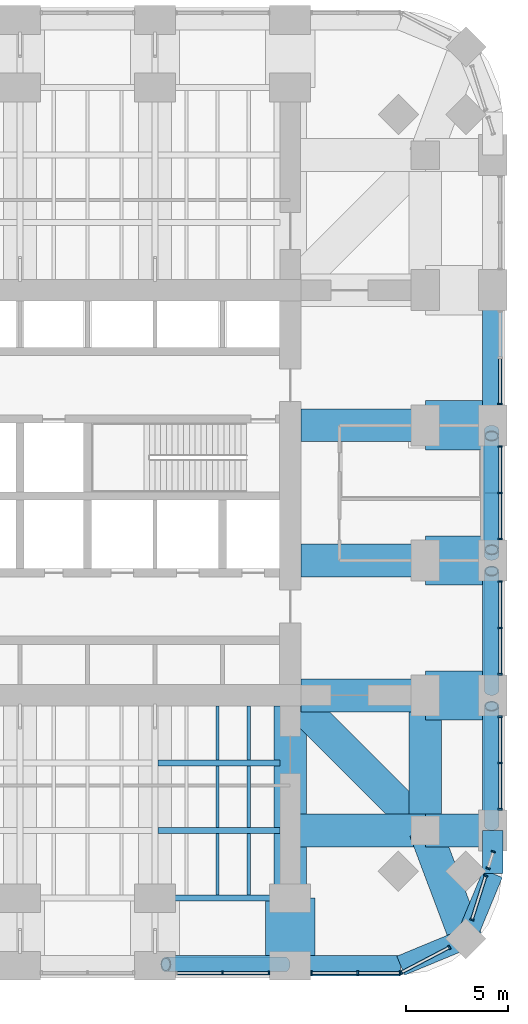
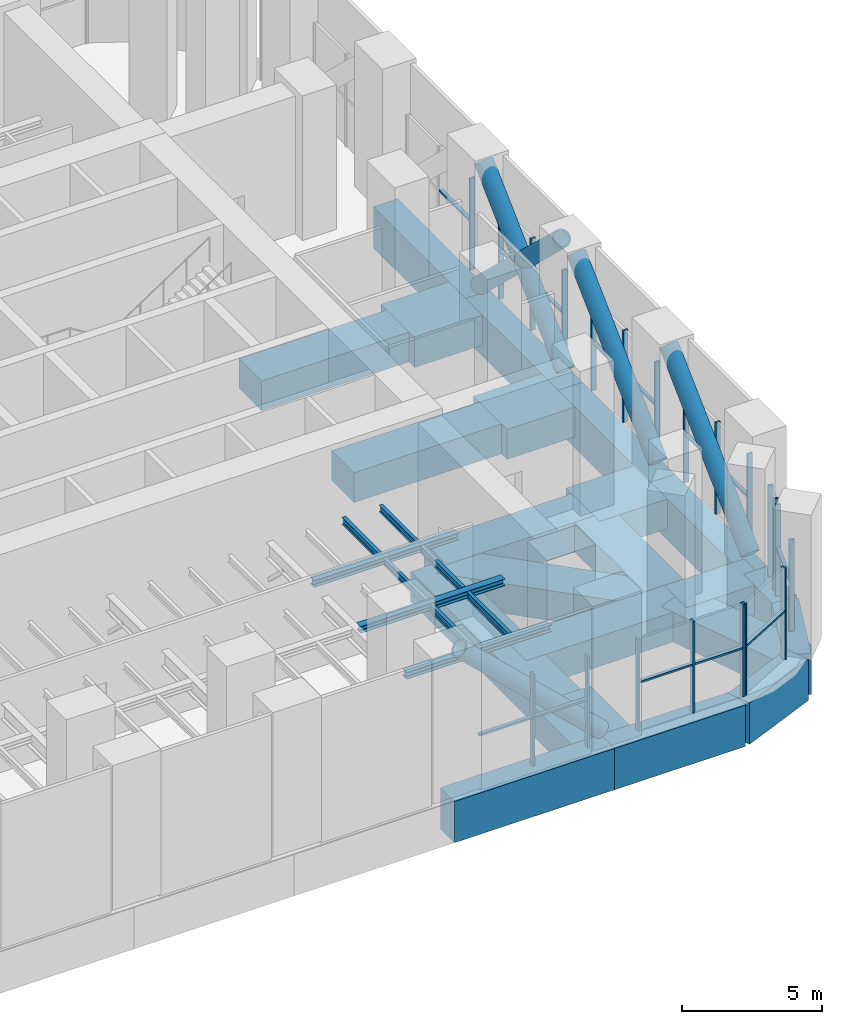
# One storey, part 5 of 16: 39 members, 31 beams, 9 elements without a shape of their own.
"""IFC4 building model written with IfcOpenShell, lengths in metres."""

from ifc_helpers import new_model, si_unit, direction, frame, origin, origin_2d, place, context, subcontext, project, spatial, rectangle, hollow_circle, i_section, extrude, material, material_profile, profile_set, type_object, element, aggregate, save


model = new_model("IFC4")

# Units and contexts
model_context = context("Model", 3, precision=1e-05, world=origin(), true_north=direction((0.0, 1.0)))
body_context = subcontext(model_context, "Body", "Model", "MODEL_VIEW")
ifc_project = project(units=[si_unit("LENGTHUNIT", "METRE"), si_unit("AREAUNIT", "SQUARE_METRE"), si_unit("VOLUMEUNIT", "CUBIC_METRE"), si_unit("PLANEANGLEUNIT", "RADIAN"), si_unit("MASSUNIT", "GRAM", prefix="KILO")], contexts=[model_context])

# Site, building, storey
site_placement = place(None, origin())
site = spatial("IfcSite", under=ifc_project, at=site_placement, CompositionType="ELEMENT")
building_placement = place(site_placement, origin())
building = spatial("IfcBuilding", under=site, at=building_placement, Name="Cobogo Forest Laboratory Tower", CompositionType="ELEMENT")
storey_placement = place(building_placement, frame((0.0, 0.0, 149.39990234375)))
storey = spatial("IfcBuildingStorey", under=building, at=storey_placement, Name="L34", CompositionType="ELEMENT", Elevation=149.39990234375)

# Members
ifc_material_1 = material(Name="Steel S460NH", Category="steel")
ifc_material_profile_1 = material_profile(ifc_material_1, hollow_circle(Radius=0.35546875, WallThickness=0.06005859375, at=origin_2d()), Name="CHS 711x60")
ifc_profile_set_1 = profile_set([ifc_material_profile_1], Name="Steel S460NH")
member_type_1 = type_object("IfcMemberType", Name="Belt truss diagonal CHS 711x60", PredefinedType="BRACE", material=ifc_profile_set_1)
for number, where, z_axis, x_axis, name in (
    (1, (39.35009765625, 0.06005859375, 0.23876953125), (-0.723363796511, 0.0, 0.690467101242), (0.0, -1.0, 0.0), "BT1 belt truss diagonal S04 L34"),
    (2, (49.43994140625, 6.85009765625, 0.23876953125), (0.0, 0.723349354665, 0.69048223084), (-1.0, 0.0, 0.0), "BT1 belt truss diagonal E05 L34"),
    (3, (49.43994140625, 13.449951171875, 0.23876953125), (0.0, 0.723363796511, 0.690467101242), (-1.0, 0.0, 0.0), "BT1 belt truss diagonal E06 L34"),
    (4, (49.43994140625, 20.050048828125, 0.23876953125), (0.0, 0.723349354665, 0.69048223084), (-1.0, 0.0, 0.0), "BT1 belt truss diagonal E07 L34"),
    (5, (49.43994140625, 26.14990234375, 0.23876953125), (0.0, -0.723349354665, 0.69048223084), (1.0, 0.0, 0.0), "BT1 belt truss diagonal E08 L34"),
):
    element("IfcMember", number, at=place(storey_placement, frame(where, z_axis=z_axis, x_axis=x_axis)), inside=storey, type_object=member_type_1, Name=name, PredefinedType="BRACE", context=body_context, shape_type="SweptSolid", body=[
        extrude(hollow_circle(Radius=0.35546875, WallThickness=0.06005859375, at=origin_2d()), origin(), (0.0, 0.0, 1.0), 8.0595703125),
    ])

# Curtain wall, members
ifc_material_2 = material(Name="Aluminium curtain wall", Category="aluminium")
curtain_wall_type = type_object("IfcCurtainWallType", Name="CW-P louvred curtain wall, plant floors", PredefinedType="USERDEFINED", material=ifc_material_2)
curtain_wall_1_placement = place(storey_placement, origin())
curtain_wall_1 = element("IfcCurtainWall", 6, at=curtain_wall_1_placement, inside=storey, type_object=curtain_wall_type, Name="Curtain wall 05 L34", ObjectType="LOUVRED CURTAIN WALL", PredefinedType="USERDEFINED")
ifc_material_3 = material(Name="Aluminium mullion", Category="aluminium")
ifc_material_profile_2 = material_profile(ifc_material_3, rectangle(XDim=0.080078125, YDim=0.199951171875, at=origin_2d()), Name="AL 80x200")
ifc_profile_set_2 = profile_set([ifc_material_profile_2], Name="Aluminium mullion")
member_type_2 = type_object("IfcMemberType", Name="MU-3 aluminium louvre mullion 80x200", PredefinedType="MULLION", material=ifc_profile_set_2)
member_1_placement = place(storey_placement, frame((36.300048828125, -0.35009765625, 0.0), z_axis=(0.0, 0.0, 1.0), x_axis=(1.0, 0.0, 0.0)))
member_1 = element("IfcMember", 7, at=member_1_placement, type_object=member_type_2, Name="CW-P mullion 2", PredefinedType="MULLION", context=body_context, shape_type="SweptSolid", body=[
    extrude(rectangle(XDim=0.080078125, YDim=0.199951171875, at=origin_2d()), origin(), (0.0, 0.0, 1.0), 4.0),
])
member_2_placement = place(storey_placement, frame((38.56005859375, -0.35009765625, 0.0), z_axis=(0.0, 0.0, 1.0), x_axis=(1.0, 0.0, 0.0)))
member_2 = element("IfcMember", 8, at=member_2_placement, type_object=member_type_2, Name="CW-P mullion 3", PredefinedType="MULLION", context=body_context, shape_type="SweptSolid", body=[
    extrude(rectangle(XDim=0.080078125, YDim=0.199951171875, at=origin_2d()), origin(), (0.0, 0.0, 1.0), 4.0),
])

curtain_wall_2_placement = place(storey_placement, origin())
curtain_wall_2 = element("IfcCurtainWall", 9, at=curtain_wall_2_placement, inside=storey, type_object=curtain_wall_type, Name="Curtain wall 06 L34", ObjectType="LOUVRED CURTAIN WALL", PredefinedType="USERDEFINED")
member_3_placement = place(storey_placement, frame((40.639892578125, -0.35009765625, 0.0), z_axis=(0.0, 0.0, 1.0), x_axis=(1.0, 0.0, 0.0)))
member_3 = element("IfcMember", 10, at=member_3_placement, type_object=member_type_2, Name="CW-P mullion 1", PredefinedType="MULLION", context=body_context, shape_type="SweptSolid", body=[
    extrude(rectangle(XDim=0.080078125, YDim=0.199951171875, at=origin_2d()), origin(), (0.0, 0.0, 1.0), 4.0),
])
member_4_placement = place(storey_placement, frame((42.89990234375, -0.35009765625, 0.0), z_axis=(0.0, 0.0, 1.0), x_axis=(1.0, 0.0, 0.0)))
member_4 = element("IfcMember", 11, at=member_4_placement, type_object=member_type_2, Name="CW-P mullion 2", PredefinedType="MULLION", context=body_context, shape_type="SweptSolid", body=[
    extrude(rectangle(XDim=0.080078125, YDim=0.199951171875, at=origin_2d()), origin(), (0.0, 0.0, 1.0), 4.0),
])
member_5_placement = place(storey_placement, frame((44.9599609375, -0.35009765625, 0.0), z_axis=(0.0, 0.0, 1.0), x_axis=(1.0, 0.0, 0.0)))
member_5 = element("IfcMember", 12, at=member_5_placement, type_object=member_type_2, Name="CW-P mullion 3", PredefinedType="MULLION", context=body_context, shape_type="SweptSolid", body=[
    extrude(rectangle(XDim=0.080078125, YDim=0.199951171875, at=origin_2d()), origin(), (0.0, 0.0, 1.0), 4.0),
])

curtain_wall_3_placement = place(storey_placement, origin())
curtain_wall_3 = element("IfcCurtainWall", 13, at=curtain_wall_3_placement, inside=storey, type_object=curtain_wall_type, Name="Curtain wall 07 L34", ObjectType="LOUVRED CURTAIN WALL", PredefinedType="USERDEFINED")
member_6_placement = place(storey_placement, frame((45.035400390625, -0.33154296875, 0.0), z_axis=(0.0, 0.0, 1.0), x_axis=(0.885686540666, 0.464283697413, 0.0)))
member_6 = element("IfcMember", 14, at=member_6_placement, type_object=member_type_2, Name="CW-P mullion 1", PredefinedType="MULLION", context=body_context, shape_type="SweptSolid", body=[
    extrude(rectangle(XDim=0.080078125, YDim=0.199951171875, at=origin_2d()), origin(), (0.0, 0.0, 1.0), 4.0),
])
member_7_placement = place(storey_placement, frame((47.37646484375, 0.895751953125, 0.0), z_axis=(0.0, 0.0, 1.0), x_axis=(0.885686540666, 0.464283697413, 0.0)))
member_7 = element("IfcMember", 15, at=member_7_placement, type_object=member_type_2, Name="CW-P mullion 2", PredefinedType="MULLION", context=body_context, shape_type="SweptSolid", body=[
    extrude(rectangle(XDim=0.080078125, YDim=0.199951171875, at=origin_2d()), origin(), (0.0, 0.0, 1.0), 4.0),
])

curtain_wall_4_placement = place(storey_placement, origin())
curtain_wall_4 = element("IfcCurtainWall", 16, at=curtain_wall_4_placement, inside=storey, type_object=curtain_wall_type, Name="Curtain wall 08 L34", ObjectType="LOUVRED CURTAIN WALL", PredefinedType="USERDEFINED")
member_8_placement = place(storey_placement, frame((48.475830078125, 2.248291015625, 0.0), z_axis=(0.0, 0.0, 1.0), x_axis=(0.301135343623, 0.953581409645, 0.0)))
member_8 = element("IfcMember", 17, at=member_8_placement, type_object=member_type_2, Name="CW-P mullion 1", PredefinedType="MULLION", context=body_context, shape_type="SweptSolid", body=[
    extrude(rectangle(XDim=0.080078125, YDim=0.199951171875, at=origin_2d()), origin(), (0.0, 0.0, 1.0), 4.0),
])
member_9_placement = place(storey_placement, frame((49.1513671875, 4.387451171875, 0.0), z_axis=(0.0, 0.0, 1.0), x_axis=(0.301135343623, 0.953581409645, 0.0)))
member_9 = element("IfcMember", 18, at=member_9_placement, type_object=member_type_2, Name="CW-P mullion 2", PredefinedType="MULLION", context=body_context, shape_type="SweptSolid", body=[
    extrude(rectangle(XDim=0.080078125, YDim=0.199951171875, at=origin_2d()), origin(), (0.0, 0.0, 1.0), 4.0),
])

curtain_wall_5_placement = place(storey_placement, origin())
curtain_wall_5 = element("IfcCurtainWall", 19, at=curtain_wall_5_placement, inside=storey, type_object=curtain_wall_type, Name="Curtain wall 09 L34", ObjectType="LOUVRED CURTAIN WALL", PredefinedType="USERDEFINED")
member_10_placement = place(storey_placement, frame((49.267822265625, 4.75634765625, 0.0), z_axis=(0.0, 0.0, 1.0), x_axis=(0.301135352577, 0.953581406818, 0.0)))
member_10 = element("IfcMember", 20, at=member_10_placement, type_object=member_type_2, Name="CW-P mullion 1", PredefinedType="MULLION", context=body_context, shape_type="SweptSolid", body=[
    extrude(rectangle(XDim=0.080078125, YDim=0.199951171875, at=origin_2d()), origin(), (0.0, 0.0, 1.0), 4.0),
])
member_11_placement = place(storey_placement, frame((49.522216796875, 5.561767578125, 0.0), z_axis=(0.0, 0.0, 1.0), x_axis=(0.301135352577, 0.953581406818, 0.0)))
member_11 = element("IfcMember", 21, at=member_11_placement, type_object=member_type_2, Name="CW-P mullion 2", PredefinedType="MULLION", context=body_context, shape_type="SweptSolid", body=[
    extrude(rectangle(XDim=0.080078125, YDim=0.199951171875, at=origin_2d()), origin(), (0.0, 0.0, 1.0), 4.0),
])
aggregate(curtain_wall_5, [member_10, member_11])

curtain_wall_6_placement = place(storey_placement, origin())
curtain_wall_6 = element("IfcCurtainWall", 22, at=curtain_wall_6_placement, inside=storey, type_object=curtain_wall_type, Name="Curtain wall 10 L34", ObjectType="LOUVRED CURTAIN WALL", PredefinedType="USERDEFINED")
member_12_placement = place(storey_placement, frame((49.85009765625, 7.639892578125, 0.0), z_axis=(0.0, 0.0, 1.0), x_axis=(0.0, 1.0, 0.0)))
member_12 = element("IfcMember", 23, at=member_12_placement, type_object=member_type_2, Name="CW-P mullion 1", PredefinedType="MULLION", context=body_context, shape_type="SweptSolid", body=[
    extrude(rectangle(XDim=0.080078125, YDim=0.199951171875, at=origin_2d()), origin(), (0.0, 0.0, 1.0), 4.0),
])
member_13_placement = place(storey_placement, frame((49.85009765625, 9.89990234375, 0.0), z_axis=(0.0, 0.0, 1.0), x_axis=(0.0, 1.0, 0.0)))
member_13 = element("IfcMember", 24, at=member_13_placement, type_object=member_type_2, Name="CW-P mullion 2", PredefinedType="MULLION", context=body_context, shape_type="SweptSolid", body=[
    extrude(rectangle(XDim=0.080078125, YDim=0.199951171875, at=origin_2d()), origin(), (0.0, 0.0, 1.0), 4.0),
])
member_14_placement = place(storey_placement, frame((49.85009765625, 12.159912109375, 0.0), z_axis=(0.0, 0.0, 1.0), x_axis=(0.0, 1.0, 0.0)))
member_14 = element("IfcMember", 25, at=member_14_placement, type_object=member_type_2, Name="CW-P mullion 3", PredefinedType="MULLION", context=body_context, shape_type="SweptSolid", body=[
    extrude(rectangle(XDim=0.080078125, YDim=0.199951171875, at=origin_2d()), origin(), (0.0, 0.0, 1.0), 4.0),
])

curtain_wall_7_placement = place(storey_placement, origin())
curtain_wall_7 = element("IfcCurtainWall", 26, at=curtain_wall_7_placement, inside=storey, type_object=curtain_wall_type, Name="Curtain wall 11 L34", ObjectType="LOUVRED CURTAIN WALL", PredefinedType="USERDEFINED")
member_15_placement = place(storey_placement, frame((49.85009765625, 14.239990234375, 0.0), z_axis=(0.0, 0.0, 1.0), x_axis=(0.0, 1.0, 0.0)))
member_15 = element("IfcMember", 27, at=member_15_placement, type_object=member_type_2, Name="CW-P mullion 1", PredefinedType="MULLION", context=body_context, shape_type="SweptSolid", body=[
    extrude(rectangle(XDim=0.080078125, YDim=0.199951171875, at=origin_2d()), origin(), (0.0, 0.0, 1.0), 4.0),
])
member_16_placement = place(storey_placement, frame((49.85009765625, 16.5, 0.0), z_axis=(0.0, 0.0, 1.0), x_axis=(0.0, 1.0, 0.0)))
member_16 = element("IfcMember", 28, at=member_16_placement, type_object=member_type_2, Name="CW-P mullion 2", PredefinedType="MULLION", context=body_context, shape_type="SweptSolid", body=[
    extrude(rectangle(XDim=0.080078125, YDim=0.199951171875, at=origin_2d()), origin(), (0.0, 0.0, 1.0), 4.0),
])
member_17_placement = place(storey_placement, frame((49.85009765625, 18.760009765625, 0.0), z_axis=(0.0, 0.0, 1.0), x_axis=(0.0, 1.0, 0.0)))
member_17 = element("IfcMember", 29, at=member_17_placement, type_object=member_type_2, Name="CW-P mullion 3", PredefinedType="MULLION", context=body_context, shape_type="SweptSolid", body=[
    extrude(rectangle(XDim=0.080078125, YDim=0.199951171875, at=origin_2d()), origin(), (0.0, 0.0, 1.0), 4.0),
])

curtain_wall_8_placement = place(storey_placement, origin())
curtain_wall_8 = element("IfcCurtainWall", 30, at=curtain_wall_8_placement, inside=storey, type_object=curtain_wall_type, Name="Curtain wall 12 L34", ObjectType="LOUVRED CURTAIN WALL", PredefinedType="USERDEFINED")
member_18_placement = place(storey_placement, frame((49.85009765625, 20.840087890625, 0.0), z_axis=(0.0, 0.0, 1.0), x_axis=(0.0, 1.0, 0.0)))
member_18 = element("IfcMember", 31, at=member_18_placement, type_object=member_type_2, Name="CW-P mullion 1", PredefinedType="MULLION", context=body_context, shape_type="SweptSolid", body=[
    extrude(rectangle(XDim=0.080078125, YDim=0.199951171875, at=origin_2d()), origin(), (0.0, 0.0, 1.0), 4.0),
])
member_19_placement = place(storey_placement, frame((49.85009765625, 23.10009765625, 0.0), z_axis=(0.0, 0.0, 1.0), x_axis=(0.0, 1.0, 0.0)))
member_19 = element("IfcMember", 32, at=member_19_placement, type_object=member_type_2, Name="CW-P mullion 2", PredefinedType="MULLION", context=body_context, shape_type="SweptSolid", body=[
    extrude(rectangle(XDim=0.080078125, YDim=0.199951171875, at=origin_2d()), origin(), (0.0, 0.0, 1.0), 4.0),
])
member_20_placement = place(storey_placement, frame((49.85009765625, 25.360107421875, 0.0), z_axis=(0.0, 0.0, 1.0), x_axis=(0.0, 1.0, 0.0)))
member_20 = element("IfcMember", 33, at=member_20_placement, type_object=member_type_2, Name="CW-P mullion 3", PredefinedType="MULLION", context=body_context, shape_type="SweptSolid", body=[
    extrude(rectangle(XDim=0.080078125, YDim=0.199951171875, at=origin_2d()), origin(), (0.0, 0.0, 1.0), 4.0),
])

# Curtain wall, member
curtain_wall_9_placement = place(storey_placement, origin())
curtain_wall_9 = element("IfcCurtainWall", 34, at=curtain_wall_9_placement, inside=storey, type_object=curtain_wall_type, Name="Curtain wall 13 L34", ObjectType="LOUVRED CURTAIN WALL", PredefinedType="USERDEFINED")
member_21_placement = place(storey_placement, frame((49.85009765625, 27.43994140625, 0.0), z_axis=(0.0, 0.0, 1.0), x_axis=(0.0, 1.0, 0.0)))
member_21 = element("IfcMember", 35, at=member_21_placement, type_object=member_type_2, Name="CW-P mullion 1", PredefinedType="MULLION", context=body_context, shape_type="SweptSolid", body=[
    extrude(rectangle(XDim=0.080078125, YDim=0.199951171875, at=origin_2d()), origin(), (0.0, 0.0, 1.0), 4.0),
])

# Beams
ifc_material_4 = material(Name="Concrete HA-40 (C40/50)", Category="concrete")
ifc_material_profile_3 = material_profile(ifc_material_4, rectangle(XDim=1.60009765625, YDim=1.300048828125, at=origin_2d()), Name="RC 1600x1300")
ifc_profile_set_3 = profile_set([ifc_material_profile_3], Name="Concrete HA-40 (C40/50)")
beam_type_1 = type_object("IfcBeamType", Name="Plant and roof garden wide beam 1600x1300", PredefinedType="BEAM", material=ifc_profile_set_3)
beam_1_placement = place(storey_placement, frame((39.60009765625, 12.675048828125, -1.0), z_axis=(0.0, -1.0, 0.0), x_axis=(1.0, 0.0, 0.0)))
element("IfcBeam", 36, at=beam_1_placement, inside=storey, type_object=beam_type_1, Name="RB4 R-7-S L34", PredefinedType="BEAM", context=body_context, shape_type="SweptSolid", body=[
    extrude(rectangle(XDim=1.60009765625, YDim=1.300048828125, at=origin_2d()), origin(), (0.0, 0.0, 1.0), 9.375),
])
for number, where, z_axis, x_axis, name in (
    (37, (40.125, 13.199951171875, -1.0), (1.0, 0.0, 0.0), (0.0, 1.0, 0.0), "RB4 R-C-E L34"),
    (38, (40.125, 19.800048828125, -1.0), (1.0, 0.0, 0.0), (0.0, 1.0, 0.0), "RB4 R-D-E L34"),
    (39, (40.125, 26.39990234375, -1.0), (1.0, 0.0, 0.0), (0.0, 1.0, 0.0), "RB4 R-E-E L34"),
):
    element("IfcBeam", number, at=place(storey_placement, frame(where, z_axis=z_axis, x_axis=x_axis)), inside=storey, type_object=beam_type_1, Name=name, PredefinedType="BEAM", context=body_context, shape_type="SweptSolid", body=[
        extrude(rectangle(XDim=1.60009765625, YDim=1.300048828125, at=origin_2d()), origin(), (0.0, 0.0, 1.0), 6.074951171875),
    ])
beam_2_placement = place(storey_placement, frame((46.199951171875, 6.60009765625, -1.0), z_axis=(0.0, 1.0, 0.0), x_axis=(-1.0, 0.0, 0.0)))
element("IfcBeam", 40, at=beam_2_placement, inside=storey, type_object=beam_type_1, Name="RB4 G-SE-XC L34", PredefinedType="BEAM", context=body_context, shape_type="SweptSolid", body=[
    extrude(rectangle(XDim=1.60009765625, YDim=1.300048828125, at=origin_2d()), origin(), (0.0, 0.0, 1.0), 6.599853515625),
])
beam_3_placement = place(storey_placement, frame((49.5, 6.60009765625, -1.0), z_axis=(-1.0, 0.0, 0.0), x_axis=(0.0, -1.0, 0.0)))
element("IfcBeam", 41, at=beam_3_placement, inside=storey, type_object=beam_type_1, Name="RB4 G-SE-YF L34", PredefinedType="BEAM", context=body_context, shape_type="SweptSolid", body=[
    extrude(rectangle(XDim=1.60009765625, YDim=1.300048828125, at=origin_2d()), origin(), (0.0, 0.0, 1.0), 3.300048828125),
])
beam_4_placement = place(storey_placement, frame((46.199951171875, 6.60009765625, -1.0), z_axis=(-1.0, 0.0, 0.0), x_axis=(0.0, -1.0, 0.0)))
element("IfcBeam", 42, at=beam_4_placement, inside=storey, type_object=beam_type_1, Name="RB4 G-SE-YC L34", PredefinedType="BEAM", context=body_context, shape_type="SweptSolid", body=[
    extrude(rectangle(XDim=1.60009765625, YDim=1.300048828125, at=origin_2d()), origin(), (0.0, 0.0, 1.0), 6.599853515625),
])
beam_5_placement = place(storey_placement, frame((48.181884765625, 1.318115234375, -1.0), z_axis=(-0.351308391925, 0.936259800356, 0.0), x_axis=(-0.936259800356, -0.351308391925, 0.0)))
element("IfcBeam", 43, at=beam_5_placement, inside=storey, type_object=beam_type_1, Name="RB4 G-SE-D1 L34", PredefinedType="BEAM", context=body_context, shape_type="SweptSolid", body=[
    extrude(rectangle(XDim=1.60009765625, YDim=1.300048828125, at=origin_2d()), origin(), (0.0, 0.0, 1.0), 5.6416015625),
])
beam_6_placement = place(storey_placement, frame((46.199951171875, 6.60009765625, -1.0), z_axis=(-0.707106781187, 0.707106781187, 0.0), x_axis=(-0.707106781187, -0.707106781187, 0.0)))
element("IfcBeam", 44, at=beam_6_placement, inside=storey, type_object=beam_type_1, Name="RB4 G-SE-D2 L34", PredefinedType="BEAM", context=body_context, shape_type="SweptSolid", body=[
    extrude(rectangle(XDim=1.60009765625, YDim=1.300048828125, at=origin_2d()), origin(), (0.0, 0.0, 1.0), 8.59130859375),
])
ifc_material_5 = material(Name="Concrete HA-50 (C50/60)", Category="concrete")
ifc_material_profile_4 = material_profile(ifc_material_5, rectangle(XDim=2.39990234375, YDim=1.300048828125, at=origin_2d()), Name="RC 2400x1300")
ifc_profile_set_4 = profile_set([ifc_material_profile_4], Name="Concrete HA-50 (C50/60)")
beam_type_2 = type_object("IfcBeamType", Name="Plant floor end-bay beam 2400x1300", PredefinedType="BEAM", material=ifc_profile_set_4)
for number, where, z_axis, x_axis, name in (
    (45, (39.60009765625, 0.0, -1.0), (0.0, 1.0, 0.0), (-1.0, 0.0, 0.0), "RB6 R-7-S-X L34"),
    (46, (49.5, 13.199951171875, -1.0), (-1.0, 0.0, 0.0), (0.0, -1.0, 0.0), "RB6 R-C-E-X L34"),
    (47, (49.5, 19.800048828125, -1.0), (-1.0, 0.0, 0.0), (0.0, -1.0, 0.0), "RB6 R-D-E-X L34"),
    (48, (49.5, 26.39990234375, -1.0), (-1.0, 0.0, 0.0), (0.0, -1.0, 0.0), "RB6 R-E-E-X L34"),
):
    element("IfcBeam", number, at=place(storey_placement, frame(where, z_axis=z_axis, x_axis=x_axis)), inside=storey, type_object=beam_type_2, Name=name, PredefinedType="BEAM", context=body_context, shape_type="SweptSolid", body=[
        extrude(rectangle(XDim=2.39990234375, YDim=1.300048828125, at=origin_2d()), origin(), (0.0, 0.0, 1.0), 3.300048828125),
    ])
ifc_material_profile_5 = material_profile(ifc_material_4, rectangle(XDim=1.0, YDim=1.800048828125, at=origin_2d()), Name="RC 1000x1800")
ifc_profile_set_5 = profile_set([ifc_material_profile_5], Name="Concrete HA-40 (C40/50)")
beam_type_3 = type_object("IfcBeamType", Name="Plant floor perimeter girder 1000x1800", PredefinedType="BEAM", material=ifc_profile_set_5)
beam_7_placement = place(storey_placement, frame((33.0, 0.0, -1.25), z_axis=(1.0, 0.0, 0.0), x_axis=(0.0, 1.0, 0.0)))
element("IfcBeam", 49, at=beam_7_placement, inside=storey, type_object=beam_type_3, Name="TG1 E-S4 L34", PredefinedType="BEAM", context=body_context, shape_type="SweptSolid", body=[
    extrude(rectangle(XDim=1.0, YDim=1.800048828125, at=origin_2d()), origin(), (0.0, 0.0, 1.0), 6.60009765625),
])
beam_8_placement = place(storey_placement, frame((49.5, 6.60009765625, -1.25), z_axis=(0.0, 1.0, 0.0), x_axis=(-1.0, 0.0, 0.0)))
element("IfcBeam", 50, at=beam_8_placement, inside=storey, type_object=beam_type_3, Name="TG1 E-E1 L34", PredefinedType="BEAM", context=body_context, shape_type="SweptSolid", body=[
    extrude(rectangle(XDim=1.0, YDim=1.800048828125, at=origin_2d()), origin(), (0.0, 0.0, 1.0), 6.599853515625),
])
beam_9_placement = place(storey_placement, frame((49.5, 13.199951171875, -1.25), z_axis=(0.0, 1.0, 0.0), x_axis=(-1.0, 0.0, 0.0)))
element("IfcBeam", 51, at=beam_9_placement, inside=storey, type_object=beam_type_3, Name="TG1 E-E2 L34", PredefinedType="BEAM", context=body_context, shape_type="SweptSolid", body=[
    extrude(rectangle(XDim=1.0, YDim=1.800048828125, at=origin_2d()), origin(), (0.0, 0.0, 1.0), 6.60009765625),
])
beam_10_placement = place(storey_placement, frame((49.5, 19.800048828125, -1.25), z_axis=(0.0, 1.0, 0.0), x_axis=(-1.0, 0.0, 0.0)))
element("IfcBeam", 52, at=beam_10_placement, inside=storey, type_object=beam_type_3, Name="TG1 E-E3 L34", PredefinedType="BEAM", context=body_context, shape_type="SweptSolid", body=[
    extrude(rectangle(XDim=1.0, YDim=1.800048828125, at=origin_2d()), origin(), (0.0, 0.0, 1.0), 6.599853515625),
])
beam_11_placement = place(storey_placement, frame((49.5, 26.39990234375, -1.25), z_axis=(0.0, 1.0, 0.0), x_axis=(-1.0, 0.0, 0.0)))
element("IfcBeam", 53, at=beam_11_placement, inside=storey, type_object=beam_type_3, Name="TG1 E-E4 L34", PredefinedType="BEAM", context=body_context, shape_type="SweptSolid", body=[
    extrude(rectangle(XDim=1.0, YDim=1.800048828125, at=origin_2d()), origin(), (0.0, 0.0, 1.0), 6.60009765625),
])
beam_12_placement = place(storey_placement, frame((39.60009765625, 0.0, -1.25), z_axis=(1.0, 0.0, 0.0), x_axis=(0.0, 1.0, 0.0)))
element("IfcBeam", 54, at=beam_12_placement, inside=storey, type_object=beam_type_3, Name="TG1 E-SES1 L34", PredefinedType="BEAM", context=body_context, shape_type="SweptSolid", body=[
    extrude(rectangle(XDim=1.0, YDim=1.800048828125, at=origin_2d()), origin(), (0.0, 0.0, 1.0), 5.39990234375),
])
beam_13_placement = place(storey_placement, frame((45.0, 0.0, -1.25), z_axis=(0.923865631356, 0.382716990999, 0.0), x_axis=(-0.382716990999, 0.923865631356, 0.0)))
element("IfcBeam", 55, at=beam_13_placement, inside=storey, type_object=beam_type_3, Name="TG1 E-SES2 L34", PredefinedType="BEAM", context=body_context, shape_type="SweptSolid", body=[
    extrude(rectangle(XDim=1.0, YDim=1.800048828125, at=origin_2d()), origin(), (0.0, 0.0, 1.0), 3.444091796875),
])
beam_14_placement = place(storey_placement, frame((49.5, 6.60009765625, -1.25), z_axis=(0.0, -1.0, 0.0), x_axis=(1.0, 0.0, 0.0)))
element("IfcBeam", 56, at=beam_14_placement, inside=storey, type_object=beam_type_3, Name="TG1 E-SEE1 L34", PredefinedType="BEAM", context=body_context, shape_type="SweptSolid", body=[
    extrude(rectangle(XDim=1.0, YDim=1.800048828125, at=origin_2d()), origin(), (0.0, 0.0, 1.0), 2.10009765625),
])
beam_15_placement = place(storey_placement, frame((49.5, 4.5, -1.25), z_axis=(-0.382716990999, -0.923865631356, 0.0), x_axis=(0.923865631356, -0.382716990999, 0.0)))
element("IfcBeam", 57, at=beam_15_placement, inside=storey, type_object=beam_type_3, Name="TG1 E-SEE2 L34", PredefinedType="BEAM", context=body_context, shape_type="SweptSolid", body=[
    extrude(rectangle(XDim=1.0, YDim=1.800048828125, at=origin_2d()), origin(), (0.0, 0.0, 1.0), 3.444091796875),
])
ifc_material_6 = material(Name="Steel S355", Category="steel")
ifc_material_profile_6 = material_profile(ifc_material_6, i_section(OverallWidth=0.300048828125, OverallDepth=0.300048828125, WebThickness=0.010986328125, FlangeThickness=0.01904296875, FilletRadius=0.027099609375, at=origin_2d()), Name="HEB 300")
ifc_profile_set_6 = profile_set([ifc_material_profile_6], Name="Steel S355")
beam_type_4 = type_object("IfcBeamType", Name="Plant platform beam HEB 300", PredefinedType="BEAM", material=ifc_profile_set_6)
for number, where, z_axis, x_axis, name in (
    (58, (33.14990234375, 3.300048828125, 2.85009765625), (1.0, 0.0, 0.0), (0.0, 1.0, 0.0), "PB2 AHU-S platform beam 4 at 3300 L34"),
    (59, (33.14990234375, 6.60009765625, 2.85009765625), (1.0, 0.0, 0.0), (0.0, 1.0, 0.0), "PB2 AHU-S platform beam 4 at 6600 L34"),
    (60, (33.14990234375, 9.89990234375, 2.85009765625), (1.0, 0.0, 0.0), (0.0, 1.0, 0.0), "PB2 AHU-S platform beam 4 at 9900 L34"),
):
    element("IfcBeam", number, at=place(storey_placement, frame(where, z_axis=z_axis, x_axis=x_axis)), inside=storey, type_object=beam_type_4, Name=name, PredefinedType="BEAM", context=body_context, shape_type="SweptSolid", body=[
        extrude(i_section(OverallWidth=0.300048828125, OverallDepth=0.300048828125, WebThickness=0.010986328125, FlangeThickness=0.01904296875, FilletRadius=0.027099609375, at=origin_2d()), origin(), (0.0, 0.0, 1.0), 5.9501953125),
    ])
ifc_material_profile_7 = material_profile(ifc_material_6, i_section(OverallWidth=0.14990234375, OverallDepth=0.300048828125, WebThickness=0.007080078125, FlangeThickness=0.0107421875, FilletRadius=0.014892578125, at=origin_2d()), Name="IPE 300")
ifc_profile_set_7 = profile_set([ifc_material_profile_7], Name="Steel S355")
beam_type_5 = type_object("IfcBeamType", Name="Plant platform joist IPE 300", PredefinedType="JOIST", material=ifc_profile_set_7)
for number, where, z_axis, x_axis, name in (
    (61, (36.050048828125, 3.449951171875, 2.85009765625), (0.0, 1.0, 0.0), (-1.0, 0.0, 0.0), "PJ2 AHU-S joist 4.2 row 1 L34"),
    (62, (36.050048828125, 6.75, 2.85009765625), (0.0, 1.0, 0.0), (-1.0, 0.0, 0.0), "PJ2 AHU-S joist 4.2 row 2 L34"),
):
    element("IfcBeam", number, at=place(storey_placement, frame(where, z_axis=z_axis, x_axis=x_axis)), inside=storey, type_object=beam_type_5, Name=name, PredefinedType="JOIST", context=body_context, shape_type="SweptSolid", body=[
        extrude(i_section(OverallWidth=0.14990234375, OverallDepth=0.300048828125, WebThickness=0.007080078125, FlangeThickness=0.0107421875, FilletRadius=0.014892578125, at=origin_2d()), origin(), (0.0, 0.0, 1.0), 3.0),
    ])
beam_16_placement = place(storey_placement, frame((36.050048828125, 10.050048828125, 2.85009765625), z_axis=(0.0, 1.0, 0.0), x_axis=(-1.0, 0.0, 0.0)))
element("IfcBeam", 63, at=beam_16_placement, inside=storey, type_object=beam_type_5, Name="PJ2 AHU-S joist 4.2 row 3 L34", PredefinedType="JOIST", context=body_context, shape_type="SweptSolid", body=[
    extrude(i_section(OverallWidth=0.14990234375, OverallDepth=0.300048828125, WebThickness=0.007080078125, FlangeThickness=0.0107421875, FilletRadius=0.014892578125, at=origin_2d()), origin(), (0.0, 0.0, 1.0), 2.625),
])
for number, where, z_axis, x_axis, name in (
    (64, (37.574951171875, 3.449951171875, 2.85009765625), (0.0, 1.0, 0.0), (-1.0, 0.0, 0.0), "PJ2 AHU-S joist 4.3 row 1 L34"),
    (65, (37.574951171875, 6.75, 2.85009765625), (0.0, 1.0, 0.0), (-1.0, 0.0, 0.0), "PJ2 AHU-S joist 4.3 row 2 L34"),
):
    element("IfcBeam", number, at=place(storey_placement, frame(where, z_axis=z_axis, x_axis=x_axis)), inside=storey, type_object=beam_type_5, Name=name, PredefinedType="JOIST", context=body_context, shape_type="SweptSolid", body=[
        extrude(i_section(OverallWidth=0.14990234375, OverallDepth=0.300048828125, WebThickness=0.007080078125, FlangeThickness=0.0107421875, FilletRadius=0.014892578125, at=origin_2d()), origin(), (0.0, 0.0, 1.0), 3.0),
    ])
beam_17_placement = place(storey_placement, frame((37.574951171875, 10.050048828125, 2.85009765625), z_axis=(0.0, 1.0, 0.0), x_axis=(-1.0, 0.0, 0.0)))
element("IfcBeam", 66, at=beam_17_placement, inside=storey, type_object=beam_type_5, Name="PJ2 AHU-S joist 4.3 row 3 L34", PredefinedType="JOIST", context=body_context, shape_type="SweptSolid", body=[
    extrude(i_section(OverallWidth=0.14990234375, OverallDepth=0.300048828125, WebThickness=0.007080078125, FlangeThickness=0.0107421875, FilletRadius=0.014892578125, at=origin_2d()), origin(), (0.0, 0.0, 1.0), 2.625),
])

# Member
ifc_material_7 = material(Name="Aluminium transom", Category="aluminium")
ifc_material_profile_8 = material_profile(ifc_material_7, rectangle(XDim=0.14990234375, YDim=0.080078125, at=origin_2d()), Name="AL 80x150")
ifc_profile_set_8 = profile_set([ifc_material_profile_8], Name="Aluminium transom")
member_type_3 = type_object("IfcMemberType", Name="TR-2 aluminium louvre transom 80x150", PredefinedType="USERDEFINED", material=ifc_profile_set_8)
member_22_placement = place(storey_placement, frame((34.080078125, -0.35009765625, 2.10009765625), z_axis=(1.0, 0.0, 0.0), x_axis=(0.0, 1.0, 0.0)))
member_22 = element("IfcMember", 67, at=member_22_placement, type_object=member_type_3, Name="CW-P transom 1.1", ObjectType="TRANSOM", PredefinedType="USERDEFINED", context=body_context, shape_type="SweptSolid", body=[
    extrude(rectangle(XDim=0.14990234375, YDim=0.080078125, at=origin_2d()), origin(), (0.0, 0.0, 1.0), 2.179931640625),
])

member_23_placement = place(storey_placement, frame((36.340087890625, -0.35009765625, 2.10009765625), z_axis=(1.0, 0.0, 0.0), x_axis=(0.0, 1.0, 0.0)))
member_23 = element("IfcMember", 68, at=member_23_placement, type_object=member_type_3, Name="CW-P transom 2.1", ObjectType="TRANSOM", PredefinedType="USERDEFINED", context=body_context, shape_type="SweptSolid", body=[
    extrude(rectangle(XDim=0.14990234375, YDim=0.080078125, at=origin_2d()), origin(), (0.0, 0.0, 1.0), 2.179931640625),
])

aggregate(curtain_wall_1, [member_1, member_2, member_22, member_23])

member_24_placement = place(storey_placement, frame((40.679931640625, -0.35009765625, 2.10009765625), z_axis=(1.0, 0.0, 0.0), x_axis=(0.0, 1.0, 0.0)))
member_24 = element("IfcMember", 69, at=member_24_placement, type_object=member_type_3, Name="CW-P transom 1.1", ObjectType="TRANSOM", PredefinedType="USERDEFINED", context=body_context, shape_type="SweptSolid", body=[
    extrude(rectangle(XDim=0.14990234375, YDim=0.080078125, at=origin_2d()), origin(), (0.0, 0.0, 1.0), 2.18017578125),
])

member_25_placement = place(storey_placement, frame((42.93994140625, -0.35009765625, 2.10009765625), z_axis=(1.0, 0.0, 0.0), x_axis=(0.0, 1.0, 0.0)))
member_25 = element("IfcMember", 70, at=member_25_placement, type_object=member_type_3, Name="CW-P transom 2.1", ObjectType="TRANSOM", PredefinedType="USERDEFINED", context=body_context, shape_type="SweptSolid", body=[
    extrude(rectangle(XDim=0.14990234375, YDim=0.080078125, at=origin_2d()), origin(), (0.0, 0.0, 1.0), 1.97998046875),
])

aggregate(curtain_wall_2, [member_3, member_4, member_5, member_24, member_25])

member_26_placement = place(storey_placement, frame((45.07080078125, -0.312744140625, 2.10009765625), z_axis=(0.88571032668, 0.464238319415, 0.0), x_axis=(-0.464238319415, 0.88571032668, 0.0)))
member_26 = element("IfcMember", 71, at=member_26_placement, type_object=member_type_3, Name="CW-P transom 1.1", ObjectType="TRANSOM", PredefinedType="USERDEFINED", context=body_context, shape_type="SweptSolid", body=[
    extrude(rectangle(XDim=0.14990234375, YDim=0.080078125, at=origin_2d()), origin(), (0.0, 0.0, 1.0), 2.563232421875),
])

aggregate(curtain_wall_3, [member_6, member_7, member_26])

member_27_placement = place(storey_placement, frame((48.48779296875, 2.286376953125, 2.10009765625), z_axis=(0.301088159949, 0.953596308685, 0.0), x_axis=(-0.953596308685, 0.301088159949, 0.0)))
member_27 = element("IfcMember", 72, at=member_27_placement, type_object=member_type_3, Name="CW-P transom 1.1", ObjectType="TRANSOM", PredefinedType="USERDEFINED", context=body_context, shape_type="SweptSolid", body=[
    extrude(rectangle(XDim=0.14990234375, YDim=0.080078125, at=origin_2d()), origin(), (0.0, 0.0, 1.0), 2.163330078125),
])

aggregate(curtain_wall_4, [member_8, member_9, member_27])

member_28_placement = place(storey_placement, frame((49.85009765625, 7.679931640625, 2.10009765625), z_axis=(0.0, 1.0, 0.0), x_axis=(-1.0, 0.0, 0.0)))
member_28 = element("IfcMember", 73, at=member_28_placement, type_object=member_type_3, Name="CW-P transom 1.1", ObjectType="TRANSOM", PredefinedType="USERDEFINED", context=body_context, shape_type="SweptSolid", body=[
    extrude(rectangle(XDim=0.14990234375, YDim=0.080078125, at=origin_2d()), origin(), (0.0, 0.0, 1.0), 2.18017578125),
])

member_29_placement = place(storey_placement, frame((49.85009765625, 9.93994140625, 2.10009765625), z_axis=(0.0, 1.0, 0.0), x_axis=(-1.0, 0.0, 0.0)))
member_29 = element("IfcMember", 74, at=member_29_placement, type_object=member_type_3, Name="CW-P transom 2.1", ObjectType="TRANSOM", PredefinedType="USERDEFINED", context=body_context, shape_type="SweptSolid", body=[
    extrude(rectangle(XDim=0.14990234375, YDim=0.080078125, at=origin_2d()), origin(), (0.0, 0.0, 1.0), 2.18017578125),
])

aggregate(curtain_wall_6, [member_12, member_13, member_14, member_28, member_29])

member_30_placement = place(storey_placement, frame((49.85009765625, 14.280029296875, 2.10009765625), z_axis=(0.0, 1.0, 0.0), x_axis=(-1.0, 0.0, 0.0)))
member_30 = element("IfcMember", 75, at=member_30_placement, type_object=member_type_3, Name="CW-P transom 1.1", ObjectType="TRANSOM", PredefinedType="USERDEFINED", context=body_context, shape_type="SweptSolid", body=[
    extrude(rectangle(XDim=0.14990234375, YDim=0.080078125, at=origin_2d()), origin(), (0.0, 0.0, 1.0), 2.179931640625),
])

member_31_placement = place(storey_placement, frame((49.85009765625, 16.5400390625, 2.10009765625), z_axis=(0.0, 1.0, 0.0), x_axis=(-1.0, 0.0, 0.0)))
member_31 = element("IfcMember", 76, at=member_31_placement, type_object=member_type_3, Name="CW-P transom 2.1", ObjectType="TRANSOM", PredefinedType="USERDEFINED", context=body_context, shape_type="SweptSolid", body=[
    extrude(rectangle(XDim=0.14990234375, YDim=0.080078125, at=origin_2d()), origin(), (0.0, 0.0, 1.0), 2.179931640625),
])

aggregate(curtain_wall_7, [member_15, member_16, member_17, member_30, member_31])

member_32_placement = place(storey_placement, frame((49.85009765625, 20.8798828125, 2.10009765625), z_axis=(0.0, 1.0, 0.0), x_axis=(-1.0, 0.0, 0.0)))
member_32 = element("IfcMember", 77, at=member_32_placement, type_object=member_type_3, Name="CW-P transom 1.1", ObjectType="TRANSOM", PredefinedType="USERDEFINED", context=body_context, shape_type="SweptSolid", body=[
    extrude(rectangle(XDim=0.14990234375, YDim=0.080078125, at=origin_2d()), origin(), (0.0, 0.0, 1.0), 2.18017578125),
])

member_33_placement = place(storey_placement, frame((49.85009765625, 23.139892578125, 2.10009765625), z_axis=(0.0, 1.0, 0.0), x_axis=(-1.0, 0.0, 0.0)))
member_33 = element("IfcMember", 78, at=member_33_placement, type_object=member_type_3, Name="CW-P transom 2.1", ObjectType="TRANSOM", PredefinedType="USERDEFINED", context=body_context, shape_type="SweptSolid", body=[
    extrude(rectangle(XDim=0.14990234375, YDim=0.080078125, at=origin_2d()), origin(), (0.0, 0.0, 1.0), 2.18017578125),
])

aggregate(curtain_wall_8, [member_18, member_19, member_20, member_32, member_33])

member_34_placement = place(storey_placement, frame((49.85009765625, 27.47998046875, 2.10009765625), z_axis=(0.0, 1.0, 0.0), x_axis=(-1.0, 0.0, 0.0)))
member_34 = element("IfcMember", 79, at=member_34_placement, type_object=member_type_3, Name="CW-P transom 1.1", ObjectType="TRANSOM", PredefinedType="USERDEFINED", context=body_context, shape_type="SweptSolid", body=[
    extrude(rectangle(XDim=0.14990234375, YDim=0.080078125, at=origin_2d()), origin(), (0.0, 0.0, 1.0), 2.179931640625),
])

aggregate(curtain_wall_9, [member_21, member_34])

save(model, "model.ifc")
